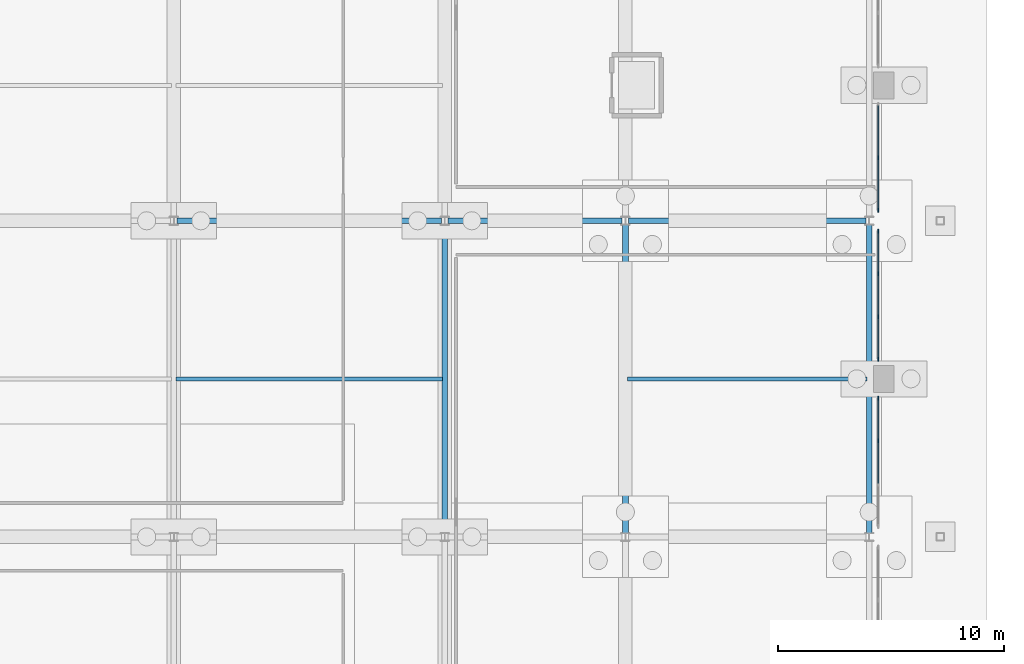
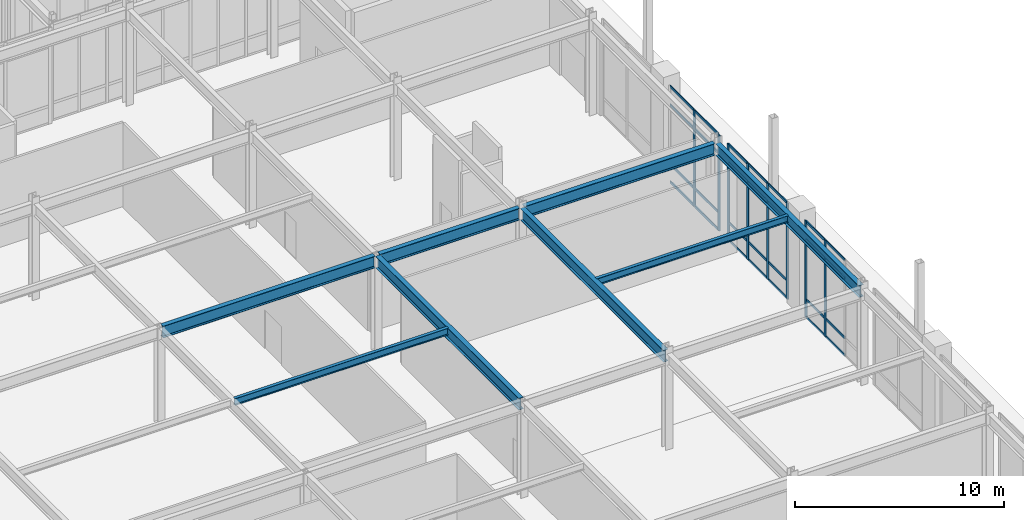
# One storey, part 66 of 143: 36 members, 8 beams, 3 elements without a shape of their own.
"""IFC4 building model written with IfcOpenShell, lengths in metres."""

from ifc_helpers import new_model, si_unit, derived_unit, direction, frame, origin, origin_2d, place, context, subcontext, project, spatial, rectangle, i_section, extrude, material, layer, layer_set, material_profile, profile_set, type_object, element, aggregate, save


model = new_model("IFC4")

# Units and contexts
model_context = context("Model", 3, precision=1e-05, world=origin(), true_north=direction((0.0, 1.0)))
body_context = subcontext(model_context, "Body", "Model", "MODEL_VIEW")
ifc_project = project(units=[si_unit("LENGTHUNIT", "METRE"), si_unit("AREAUNIT", "SQUARE_METRE"), si_unit("VOLUMEUNIT", "CUBIC_METRE"), si_unit("PLANEANGLEUNIT", "RADIAN"), si_unit("MASSUNIT", "GRAM", prefix="KILO"), derived_unit("THERMALTRANSMITTANCEUNIT", [(si_unit("MASSUNIT", "GRAM", prefix="KILO"), 1), (si_unit("TIMEUNIT", "SECOND"), -3), (si_unit("THERMODYNAMICTEMPERATUREUNIT", "KELVIN"), -1)])], contexts=[model_context])

# Site, building, storey
site_placement = place(None, origin())
site = spatial("IfcSite", under=ifc_project, at=site_placement, CompositionType="ELEMENT")
building_placement = place(site_placement, origin())
building = spatial("IfcBuilding", under=site, at=building_placement, Name="Valcora Ridge Arena", CompositionType="ELEMENT")
storey_placement = place(building_placement, origin())
storey = spatial("IfcBuildingStorey", under=building, at=storey_placement, Name="L00", CompositionType="ELEMENT", Elevation=0.0)

# Beams
ifc_material_1 = material(Name="Steel ASTM A572 Grade 50", Category="steel")
ifc_material_profile_1 = material_profile(ifc_material_1, i_section(OverallWidth=0.256103515625, OverallDepth=0.693115234375, WebThickness=0.014404296875, FlangeThickness=0.023681640625, FilletRadius=0.02001953125, at=origin_2d()), Name="W27X114")
ifc_profile_set_1 = profile_set([ifc_material_profile_1], Name="Steel ASTM A572 Grade 50")
beam_type_1 = type_object("IfcBeamType", Name="TY-BEAM-G-W27X114-X", PredefinedType="BEAM", material=ifc_profile_set_1)
beam_1_placement = place(storey_placement, frame((156.139892578125, 54.0, 5.2734375), z_axis=(1.0, 0.0, 0.0), x_axis=(0.0, 1.0, 0.0)))
element("IfcBeam", 1, at=beam_1_placement, inside=storey, type_object=beam_type_1, Name="G-W27X114-X BEM-G-W27X114-X-0016", PredefinedType="BEAM", context=body_context, shape_type="SweptSolid", body=[
    extrude(i_section(OverallWidth=0.256103515625, OverallDepth=0.693115234375, WebThickness=0.014404296875, FlangeThickness=0.023681640625, FilletRadius=0.02001953125, at=origin_2d()), origin(), (0.0, 0.0, 1.0), 11.72021484375),
])
beam_2_placement = place(storey_placement, frame((168.139892578125, 54.0, 5.2734375), z_axis=(1.0, 0.0, 0.0), x_axis=(0.0, 1.0, 0.0)))
element("IfcBeam", 2, at=beam_2_placement, inside=storey, type_object=beam_type_1, Name="G-W27X114-X BEM-G-W27X114-X-0017", PredefinedType="BEAM", context=body_context, shape_type="SweptSolid", body=[
    extrude(i_section(OverallWidth=0.256103515625, OverallDepth=0.693115234375, WebThickness=0.014404296875, FlangeThickness=0.023681640625, FilletRadius=0.02001953125, at=origin_2d()), origin(), (0.0, 0.0, 1.0), 7.72021484375),
])
beam_3_placement = place(storey_placement, frame((176.139892578125, 54.0, 5.2734375), z_axis=(1.0, 0.0, 0.0), x_axis=(0.0, 1.0, 0.0)))
element("IfcBeam", 3, at=beam_3_placement, inside=storey, type_object=beam_type_1, Name="G-W27X114-X BEM-G-W27X114-X-0018", PredefinedType="BEAM", context=body_context, shape_type="SweptSolid", body=[
    extrude(i_section(OverallWidth=0.256103515625, OverallDepth=0.693115234375, WebThickness=0.014404296875, FlangeThickness=0.023681640625, FilletRadius=0.02001953125, at=origin_2d()), origin(), (0.0, 0.0, 1.0), 10.52001953125),
])
ifc_material_profile_2 = material_profile(ifc_material_1, i_section(OverallWidth=0.256103515625, OverallDepth=0.693115234375, WebThickness=0.014404296875, FlangeThickness=0.023681640625, FilletRadius=0.02001953125, at=origin_2d()), Name="W27X114")
ifc_profile_set_2 = profile_set([ifc_material_profile_2], Name="Steel ASTM A572 Grade 50")
beam_type_2 = type_object("IfcBeamType", Name="TY-BEAM-G-W27X114-Y", PredefinedType="BEAM", material=ifc_profile_set_2)
for number, where, z_axis, x_axis, name in (
    (4, (168.0, 40.139892578125, 5.2734375), (0.0, 1.0, 0.0), (-1.0, 0.0, 0.0), "G-W27X114-Y BEM-G-W27X114-Y-0021"),
    (5, (176.0, 40.139892578125, 5.2734375), (0.0, 1.0, 0.0), (-1.0, 0.0, 0.0), "G-W27X114-Y BEM-G-W27X114-Y-0025"),
    (6, (186.800048828125, 40.139892578125, 5.2734375), (0.0, 1.0, 0.0), (-1.0, 0.0, 0.0), "G-W27X114-Y BEM-G-W27X114-Y-0031"),
):
    element("IfcBeam", number, at=place(storey_placement, frame(where, z_axis=z_axis, x_axis=x_axis)), inside=storey, type_object=beam_type_2, Name=name, PredefinedType="BEAM", context=body_context, shape_type="SweptSolid", body=[
        extrude(i_section(OverallWidth=0.256103515625, OverallDepth=0.693115234375, WebThickness=0.014404296875, FlangeThickness=0.023681640625, FilletRadius=0.02001953125, at=origin_2d()), origin(), (0.0, 0.0, 1.0), 13.72021484375),
    ])
ifc_material_profile_3 = material_profile(ifc_material_1, i_section(OverallWidth=0.177978515625, OverallDepth=0.406005859375, WebThickness=0.0078125, FlangeThickness=0.0126953125, FilletRadius=0.013916015625, at=origin_2d()), Name="W16X40")
ifc_profile_set_3 = profile_set([ifc_material_profile_3], Name="Steel ASTM A572 Grade 50")
beam_type_3 = type_object("IfcBeamType", Name="TY-BEAM-J-W16X40", PredefinedType="JOIST", material=ifc_profile_set_3)
beam_4_placement = place(storey_placement, frame((156.10009765625, 47.0, 5.4169921875), z_axis=(1.0, 0.0, 0.0), x_axis=(0.0, 1.0, 0.0)))
element("IfcBeam", 7, at=beam_4_placement, inside=storey, type_object=beam_type_3, Name="J-W16X40 BEM-J-W16X40-0009", PredefinedType="JOIST", context=body_context, shape_type="SweptSolid", body=[
    extrude(i_section(OverallWidth=0.177978515625, OverallDepth=0.406005859375, WebThickness=0.0078125, FlangeThickness=0.0126953125, FilletRadius=0.013916015625, at=origin_2d()), origin(), (0.0, 0.0, 1.0), 11.7998046875),
])
beam_5_placement = place(storey_placement, frame((176.10009765625, 47.0, 5.4169921875), z_axis=(1.0, 0.0, 0.0), x_axis=(0.0, 1.0, 0.0)))
element("IfcBeam", 8, at=beam_5_placement, inside=storey, type_object=beam_type_3, Name="J-W16X40 BEM-J-W16X40-0012", PredefinedType="JOIST", context=body_context, shape_type="SweptSolid", body=[
    extrude(i_section(OverallWidth=0.177978515625, OverallDepth=0.406005859375, WebThickness=0.0078125, FlangeThickness=0.0126953125, FilletRadius=0.013916015625, at=origin_2d()), origin(), (0.0, 0.0, 1.0), 10.599853515625),
])

# Curtain wall, members
ifc_material_2 = material(Name="Anodised dark bronze architectural aluminium 6063-T6", Category="aluminium")
ifc_layer_1 = layer(ifc_material_2, 0.179931640625, Name="Anodised dark bronze architectural aluminium 6063-T6")
ifc_layer_set_1 = layer_set([ifc_layer_1], Name="Anodised dark bronze architectural aluminium 6063-T6")
curtain_wall_type_1 = type_object("IfcCurtainWallType", Name="TY-CURTAINWALL-CW-V2-GLAZ-057X56", PredefinedType="NOTDEFINED", material=ifc_layer_set_1)
curtain_wall_1_placement = place(storey_placement, origin())
curtain_wall_1 = element("IfcCurtainWall", 9, at=curtain_wall_1_placement, inside=storey, type_object=curtain_wall_type_1, Name="CW-V2-GLAZ-057X56 CW-0032", PredefinedType="NOTDEFINED")
ifc_material_profile_4 = material_profile(ifc_material_2, rectangle(XDim=0.06005859375, YDim=0.179931640625, at=origin_2d()), Name="ALU MULLION 60x180")
ifc_profile_set_4 = profile_set([ifc_material_profile_4], Name="Anodised dark bronze architectural aluminium 6063-T6")
member_type_1 = type_object("IfcMemberType", Name="TY-MEM-CWM-60x180", PredefinedType="MULLION", material=ifc_profile_set_4)
member_1_placement = place(storey_placement, frame((187.199951171875, 44.2509765625, 0.0), z_axis=(0.0, 0.0, 1.0), x_axis=(-1.0, 0.0, 0.0)))
member_1 = element("IfcMember", 10, at=member_1_placement, type_object=member_type_1, Name="CW-0032/CWM-60x180/M02", PredefinedType="MULLION", context=body_context, shape_type="SweptSolid", body=[
    extrude(rectangle(XDim=0.06005859375, YDim=0.179931640625, at=origin_2d()), origin(), (0.0, 0.0, 1.0), 5.6201171875),
])
member_2_placement = place(storey_placement, frame((187.199951171875, 46.1298828125, 0.0), z_axis=(0.0, 0.0, 1.0), x_axis=(-1.0, 0.0, 0.0)))
member_2 = element("IfcMember", 11, at=member_2_placement, type_object=member_type_1, Name="CW-0032/CWM-60x180/M03", PredefinedType="MULLION", context=body_context, shape_type="SweptSolid", body=[
    extrude(rectangle(XDim=0.06005859375, YDim=0.179931640625, at=origin_2d()), origin(), (0.0, 0.0, 1.0), 5.6201171875),
])

curtain_wall_2_placement = place(storey_placement, origin())
curtain_wall_2 = element("IfcCurtainWall", 12, at=curtain_wall_2_placement, inside=storey, type_object=curtain_wall_type_1, Name="CW-V2-GLAZ-057X56 CW-0033", PredefinedType="NOTDEFINED")
member_3_placement = place(storey_placement, frame((187.199951171875, 47.8701171875, 0.0), z_axis=(0.0, 0.0, 1.0), x_axis=(-1.0, 0.0, 0.0)))
member_3 = element("IfcMember", 13, at=member_3_placement, type_object=member_type_1, Name="CW-0033/CWM-60x180/M00", PredefinedType="MULLION", context=body_context, shape_type="SweptSolid", body=[
    extrude(rectangle(XDim=0.06005859375, YDim=0.179931640625, at=origin_2d()), origin(), (0.0, 0.0, 1.0), 5.6201171875),
])
member_4_placement = place(storey_placement, frame((187.199951171875, 49.7490234375, 0.0), z_axis=(0.0, 0.0, 1.0), x_axis=(-1.0, 0.0, 0.0)))
member_4 = element("IfcMember", 14, at=member_4_placement, type_object=member_type_1, Name="CW-0033/CWM-60x180/M01", PredefinedType="MULLION", context=body_context, shape_type="SweptSolid", body=[
    extrude(rectangle(XDim=0.06005859375, YDim=0.179931640625, at=origin_2d()), origin(), (0.0, 0.0, 1.0), 5.6201171875),
])
member_5_placement = place(storey_placement, frame((187.199951171875, 51.657958984375, 0.0), z_axis=(0.0, 0.0, 1.0), x_axis=(-1.0, 0.0, 0.0)))
member_5 = element("IfcMember", 15, at=member_5_placement, type_object=member_type_1, Name="CW-0033/CWM-60x180/M02", PredefinedType="MULLION", context=body_context, shape_type="SweptSolid", body=[
    extrude(rectangle(XDim=0.06005859375, YDim=0.179931640625, at=origin_2d()), origin(), (0.0, 0.0, 1.0), 5.6201171875),
])
member_6_placement = place(storey_placement, frame((187.199951171875, 53.537109375, 0.0), z_axis=(0.0, 0.0, 1.0), x_axis=(-1.0, 0.0, 0.0)))
member_6 = element("IfcMember", 16, at=member_6_placement, type_object=member_type_1, Name="CW-0033/CWM-60x180/M03", PredefinedType="MULLION", context=body_context, shape_type="SweptSolid", body=[
    extrude(rectangle(XDim=0.06005859375, YDim=0.179931640625, at=origin_2d()), origin(), (0.0, 0.0, 1.0), 5.6201171875),
])

ifc_layer_2 = layer(ifc_material_2, 0.179931640625, Name="Anodised dark bronze architectural aluminium 6063-T6")
ifc_layer_set_2 = layer_set([ifc_layer_2], Name="Anodised dark bronze architectural aluminium 6063-T6")
curtain_wall_type_2 = type_object("IfcCurtainWallType", Name="TY-CURTAINWALL-CW-V2-GLAZ-047X56", PredefinedType="NOTDEFINED", material=ifc_layer_set_2)
curtain_wall_3_placement = place(storey_placement, origin())
curtain_wall_3 = element("IfcCurtainWall", 17, at=curtain_wall_3_placement, inside=storey, type_object=curtain_wall_type_2, Name="CW-V2-GLAZ-047X56 CW-0034", PredefinedType="NOTDEFINED")
member_7_placement = place(storey_placement, frame((187.199951171875, 54.462890625, 0.0), z_axis=(0.0, 0.0, 1.0), x_axis=(-1.0, 0.0, 0.0)))
member_7 = element("IfcMember", 18, at=member_7_placement, type_object=member_type_1, Name="CW-0034/CWM-60x180/M00", PredefinedType="MULLION", context=body_context, shape_type="SweptSolid", body=[
    extrude(rectangle(XDim=0.06005859375, YDim=0.179931640625, at=origin_2d()), origin(), (0.0, 0.0, 1.0), 5.6201171875),
])
member_8_placement = place(storey_placement, frame((187.199951171875, 56.79638671875, 0.0), z_axis=(0.0, 0.0, 1.0), x_axis=(-1.0, 0.0, 0.0)))
member_8 = element("IfcMember", 19, at=member_8_placement, type_object=member_type_1, Name="CW-0034/CWM-60x180/M01", PredefinedType="MULLION", context=body_context, shape_type="SweptSolid", body=[
    extrude(rectangle(XDim=0.06005859375, YDim=0.179931640625, at=origin_2d()), origin(), (0.0, 0.0, 1.0), 5.6201171875),
])

# Member
ifc_material_profile_5 = material_profile(ifc_material_2, rectangle(XDim=0.050048828125, YDim=0.14990234375, at=origin_2d()), Name="ALU TRANSOM 50x150")
ifc_profile_set_5 = profile_set([ifc_material_profile_5], Name="Anodised dark bronze architectural aluminium 6063-T6")
member_type_2 = type_object("IfcMemberType", Name="TY-MEM-CWT-50x150", PredefinedType="USERDEFINED", material=ifc_profile_set_5)
member_9_placement = place(storey_placement, frame((187.199951171875, 42.3720703125, 0.02490234375), z_axis=(0.0, 1.0, 0.0), x_axis=(-1.0, 0.0, 0.0)))
member_9 = element("IfcMember", 20, at=member_9_placement, type_object=member_type_2, Name="CW-0032/CWT-50x150/T01-00", ObjectType="TRANSOM", PredefinedType="USERDEFINED", context=body_context, shape_type="SweptSolid", body=[
    extrude(rectangle(XDim=0.050048828125, YDim=0.14990234375, at=origin_2d()), origin(), (0.0, 0.0, 1.0), 1.848876953125),
])

member_10_placement = place(storey_placement, frame((187.199951171875, 42.3720703125, 1.050048828125), z_axis=(0.0, 1.0, 0.0), x_axis=(-1.0, 0.0, 0.0)))
member_10 = element("IfcMember", 21, at=member_10_placement, type_object=member_type_2, Name="CW-0032/CWT-50x150/T01-01", ObjectType="TRANSOM", PredefinedType="USERDEFINED", context=body_context, shape_type="SweptSolid", body=[
    extrude(rectangle(XDim=0.050048828125, YDim=0.14990234375, at=origin_2d()), origin(), (0.0, 0.0, 1.0), 1.848876953125),
])

member_11_placement = place(storey_placement, frame((187.199951171875, 42.3720703125, 4.52001953125), z_axis=(0.0, 1.0, 0.0), x_axis=(-1.0, 0.0, 0.0)))
member_11 = element("IfcMember", 22, at=member_11_placement, type_object=member_type_2, Name="CW-0032/CWT-50x150/T01-02", ObjectType="TRANSOM", PredefinedType="USERDEFINED", context=body_context, shape_type="SweptSolid", body=[
    extrude(rectangle(XDim=0.050048828125, YDim=0.14990234375, at=origin_2d()), origin(), (0.0, 0.0, 1.0), 1.848876953125),
])

member_12_placement = place(storey_placement, frame((187.199951171875, 42.3720703125, 5.594970703125), z_axis=(0.0, 1.0, 0.0), x_axis=(-1.0, 0.0, 0.0)))
member_12 = element("IfcMember", 23, at=member_12_placement, type_object=member_type_2, Name="CW-0032/CWT-50x150/T01-03", ObjectType="TRANSOM", PredefinedType="USERDEFINED", context=body_context, shape_type="SweptSolid", body=[
    extrude(rectangle(XDim=0.050048828125, YDim=0.14990234375, at=origin_2d()), origin(), (0.0, 0.0, 1.0), 1.848876953125),
])

member_13_placement = place(storey_placement, frame((187.199951171875, 44.281005859375, 0.02490234375), z_axis=(0.0, 1.0, 0.0), x_axis=(-1.0, 0.0, 0.0)))
member_13 = element("IfcMember", 24, at=member_13_placement, type_object=member_type_2, Name="CW-0032/CWT-50x150/T02-00", ObjectType="TRANSOM", PredefinedType="USERDEFINED", context=body_context, shape_type="SweptSolid", body=[
    extrude(rectangle(XDim=0.050048828125, YDim=0.14990234375, at=origin_2d()), origin(), (0.0, 0.0, 1.0), 1.819091796875),
])

member_14_placement = place(storey_placement, frame((187.199951171875, 44.281005859375, 1.050048828125), z_axis=(0.0, 1.0, 0.0), x_axis=(-1.0, 0.0, 0.0)))
member_14 = element("IfcMember", 25, at=member_14_placement, type_object=member_type_2, Name="CW-0032/CWT-50x150/T02-01", ObjectType="TRANSOM", PredefinedType="USERDEFINED", context=body_context, shape_type="SweptSolid", body=[
    extrude(rectangle(XDim=0.050048828125, YDim=0.14990234375, at=origin_2d()), origin(), (0.0, 0.0, 1.0), 1.819091796875),
])

member_15_placement = place(storey_placement, frame((187.199951171875, 44.281005859375, 4.52001953125), z_axis=(0.0, 1.0, 0.0), x_axis=(-1.0, 0.0, 0.0)))
member_15 = element("IfcMember", 26, at=member_15_placement, type_object=member_type_2, Name="CW-0032/CWT-50x150/T02-02", ObjectType="TRANSOM", PredefinedType="USERDEFINED", context=body_context, shape_type="SweptSolid", body=[
    extrude(rectangle(XDim=0.050048828125, YDim=0.14990234375, at=origin_2d()), origin(), (0.0, 0.0, 1.0), 1.819091796875),
])

member_16_placement = place(storey_placement, frame((187.199951171875, 44.281005859375, 5.594970703125), z_axis=(0.0, 1.0, 0.0), x_axis=(-1.0, 0.0, 0.0)))
member_16 = element("IfcMember", 27, at=member_16_placement, type_object=member_type_2, Name="CW-0032/CWT-50x150/T02-03", ObjectType="TRANSOM", PredefinedType="USERDEFINED", context=body_context, shape_type="SweptSolid", body=[
    extrude(rectangle(XDim=0.050048828125, YDim=0.14990234375, at=origin_2d()), origin(), (0.0, 0.0, 1.0), 1.819091796875),
])

aggregate(curtain_wall_1, [member_1, member_2, member_9, member_10, member_11, member_12, member_13, member_14, member_15, member_16])

member_17_placement = place(storey_placement, frame((187.199951171875, 47.89990234375, 0.02490234375), z_axis=(0.0, 1.0, 0.0), x_axis=(-1.0, 0.0, 0.0)))
member_17 = element("IfcMember", 28, at=member_17_placement, type_object=member_type_2, Name="CW-0033/CWT-50x150/T00-00", ObjectType="TRANSOM", PredefinedType="USERDEFINED", context=body_context, shape_type="SweptSolid", body=[
    extrude(rectangle(XDim=0.050048828125, YDim=0.14990234375, at=origin_2d()), origin(), (0.0, 0.0, 1.0), 1.819091796875),
])

member_18_placement = place(storey_placement, frame((187.199951171875, 47.89990234375, 1.050048828125), z_axis=(0.0, 1.0, 0.0), x_axis=(-1.0, 0.0, 0.0)))
member_18 = element("IfcMember", 29, at=member_18_placement, type_object=member_type_2, Name="CW-0033/CWT-50x150/T00-01", ObjectType="TRANSOM", PredefinedType="USERDEFINED", context=body_context, shape_type="SweptSolid", body=[
    extrude(rectangle(XDim=0.050048828125, YDim=0.14990234375, at=origin_2d()), origin(), (0.0, 0.0, 1.0), 1.819091796875),
])

member_19_placement = place(storey_placement, frame((187.199951171875, 47.89990234375, 4.52001953125), z_axis=(0.0, 1.0, 0.0), x_axis=(-1.0, 0.0, 0.0)))
member_19 = element("IfcMember", 30, at=member_19_placement, type_object=member_type_2, Name="CW-0033/CWT-50x150/T00-02", ObjectType="TRANSOM", PredefinedType="USERDEFINED", context=body_context, shape_type="SweptSolid", body=[
    extrude(rectangle(XDim=0.050048828125, YDim=0.14990234375, at=origin_2d()), origin(), (0.0, 0.0, 1.0), 1.819091796875),
])

member_20_placement = place(storey_placement, frame((187.199951171875, 47.89990234375, 5.594970703125), z_axis=(0.0, 1.0, 0.0), x_axis=(-1.0, 0.0, 0.0)))
member_20 = element("IfcMember", 31, at=member_20_placement, type_object=member_type_2, Name="CW-0033/CWT-50x150/T00-03", ObjectType="TRANSOM", PredefinedType="USERDEFINED", context=body_context, shape_type="SweptSolid", body=[
    extrude(rectangle(XDim=0.050048828125, YDim=0.14990234375, at=origin_2d()), origin(), (0.0, 0.0, 1.0), 1.819091796875),
])

member_21_placement = place(storey_placement, frame((187.199951171875, 49.779052734375, 0.02490234375), z_axis=(0.0, 1.0, 0.0), x_axis=(-1.0, 0.0, 0.0)))
member_21 = element("IfcMember", 32, at=member_21_placement, type_object=member_type_2, Name="CW-0033/CWT-50x150/T01-00", ObjectType="TRANSOM", PredefinedType="USERDEFINED", context=body_context, shape_type="SweptSolid", body=[
    extrude(rectangle(XDim=0.050048828125, YDim=0.14990234375, at=origin_2d()), origin(), (0.0, 0.0, 1.0), 1.848876953125),
])

member_22_placement = place(storey_placement, frame((187.199951171875, 49.779052734375, 1.050048828125), z_axis=(0.0, 1.0, 0.0), x_axis=(-1.0, 0.0, 0.0)))
member_22 = element("IfcMember", 33, at=member_22_placement, type_object=member_type_2, Name="CW-0033/CWT-50x150/T01-01", ObjectType="TRANSOM", PredefinedType="USERDEFINED", context=body_context, shape_type="SweptSolid", body=[
    extrude(rectangle(XDim=0.050048828125, YDim=0.14990234375, at=origin_2d()), origin(), (0.0, 0.0, 1.0), 1.848876953125),
])

member_23_placement = place(storey_placement, frame((187.199951171875, 49.779052734375, 4.52001953125), z_axis=(0.0, 1.0, 0.0), x_axis=(-1.0, 0.0, 0.0)))
member_23 = element("IfcMember", 34, at=member_23_placement, type_object=member_type_2, Name="CW-0033/CWT-50x150/T01-02", ObjectType="TRANSOM", PredefinedType="USERDEFINED", context=body_context, shape_type="SweptSolid", body=[
    extrude(rectangle(XDim=0.050048828125, YDim=0.14990234375, at=origin_2d()), origin(), (0.0, 0.0, 1.0), 1.848876953125),
])

member_24_placement = place(storey_placement, frame((187.199951171875, 49.779052734375, 5.594970703125), z_axis=(0.0, 1.0, 0.0), x_axis=(-1.0, 0.0, 0.0)))
member_24 = element("IfcMember", 35, at=member_24_placement, type_object=member_type_2, Name="CW-0033/CWT-50x150/T01-03", ObjectType="TRANSOM", PredefinedType="USERDEFINED", context=body_context, shape_type="SweptSolid", body=[
    extrude(rectangle(XDim=0.050048828125, YDim=0.14990234375, at=origin_2d()), origin(), (0.0, 0.0, 1.0), 1.848876953125),
])

member_25_placement = place(storey_placement, frame((187.199951171875, 51.68798828125, 0.02490234375), z_axis=(0.0, 1.0, 0.0), x_axis=(-1.0, 0.0, 0.0)))
member_25 = element("IfcMember", 36, at=member_25_placement, type_object=member_type_2, Name="CW-0033/CWT-50x150/T02-00", ObjectType="TRANSOM", PredefinedType="USERDEFINED", context=body_context, shape_type="SweptSolid", body=[
    extrude(rectangle(XDim=0.050048828125, YDim=0.14990234375, at=origin_2d()), origin(), (0.0, 0.0, 1.0), 1.819091796875),
])

member_26_placement = place(storey_placement, frame((187.199951171875, 51.68798828125, 1.050048828125), z_axis=(0.0, 1.0, 0.0), x_axis=(-1.0, 0.0, 0.0)))
member_26 = element("IfcMember", 37, at=member_26_placement, type_object=member_type_2, Name="CW-0033/CWT-50x150/T02-01", ObjectType="TRANSOM", PredefinedType="USERDEFINED", context=body_context, shape_type="SweptSolid", body=[
    extrude(rectangle(XDim=0.050048828125, YDim=0.14990234375, at=origin_2d()), origin(), (0.0, 0.0, 1.0), 1.819091796875),
])

member_27_placement = place(storey_placement, frame((187.199951171875, 51.68798828125, 4.52001953125), z_axis=(0.0, 1.0, 0.0), x_axis=(-1.0, 0.0, 0.0)))
member_27 = element("IfcMember", 38, at=member_27_placement, type_object=member_type_2, Name="CW-0033/CWT-50x150/T02-02", ObjectType="TRANSOM", PredefinedType="USERDEFINED", context=body_context, shape_type="SweptSolid", body=[
    extrude(rectangle(XDim=0.050048828125, YDim=0.14990234375, at=origin_2d()), origin(), (0.0, 0.0, 1.0), 1.819091796875),
])

member_28_placement = place(storey_placement, frame((187.199951171875, 51.68798828125, 5.594970703125), z_axis=(0.0, 1.0, 0.0), x_axis=(-1.0, 0.0, 0.0)))
member_28 = element("IfcMember", 39, at=member_28_placement, type_object=member_type_2, Name="CW-0033/CWT-50x150/T02-03", ObjectType="TRANSOM", PredefinedType="USERDEFINED", context=body_context, shape_type="SweptSolid", body=[
    extrude(rectangle(XDim=0.050048828125, YDim=0.14990234375, at=origin_2d()), origin(), (0.0, 0.0, 1.0), 1.819091796875),
])

aggregate(curtain_wall_2, [member_3, member_4, member_5, member_6, member_17, member_18, member_19, member_20, member_21, member_22, member_23, member_24, member_25, member_26, member_27, member_28])

member_29_placement = place(storey_placement, frame((187.199951171875, 54.492919921875, 0.02490234375), z_axis=(0.0, 1.0, 0.0), x_axis=(-1.0, 0.0, 0.0)))
member_29 = element("IfcMember", 40, at=member_29_placement, type_object=member_type_2, Name="CW-0034/CWT-50x150/T00-00", ObjectType="TRANSOM", PredefinedType="USERDEFINED", context=body_context, shape_type="SweptSolid", body=[
    extrude(rectangle(XDim=0.050048828125, YDim=0.14990234375, at=origin_2d()), origin(), (0.0, 0.0, 1.0), 2.274169921875),
])

member_30_placement = place(storey_placement, frame((187.199951171875, 54.492919921875, 1.050048828125), z_axis=(0.0, 1.0, 0.0), x_axis=(-1.0, 0.0, 0.0)))
member_30 = element("IfcMember", 41, at=member_30_placement, type_object=member_type_2, Name="CW-0034/CWT-50x150/T00-01", ObjectType="TRANSOM", PredefinedType="USERDEFINED", context=body_context, shape_type="SweptSolid", body=[
    extrude(rectangle(XDim=0.050048828125, YDim=0.14990234375, at=origin_2d()), origin(), (0.0, 0.0, 1.0), 2.274169921875),
])

member_31_placement = place(storey_placement, frame((187.199951171875, 54.492919921875, 4.52001953125), z_axis=(0.0, 1.0, 0.0), x_axis=(-1.0, 0.0, 0.0)))
member_31 = element("IfcMember", 42, at=member_31_placement, type_object=member_type_2, Name="CW-0034/CWT-50x150/T00-02", ObjectType="TRANSOM", PredefinedType="USERDEFINED", context=body_context, shape_type="SweptSolid", body=[
    extrude(rectangle(XDim=0.050048828125, YDim=0.14990234375, at=origin_2d()), origin(), (0.0, 0.0, 1.0), 2.274169921875),
])

member_32_placement = place(storey_placement, frame((187.199951171875, 54.492919921875, 5.594970703125), z_axis=(0.0, 1.0, 0.0), x_axis=(-1.0, 0.0, 0.0)))
member_32 = element("IfcMember", 43, at=member_32_placement, type_object=member_type_2, Name="CW-0034/CWT-50x150/T00-03", ObjectType="TRANSOM", PredefinedType="USERDEFINED", context=body_context, shape_type="SweptSolid", body=[
    extrude(rectangle(XDim=0.050048828125, YDim=0.14990234375, at=origin_2d()), origin(), (0.0, 0.0, 1.0), 2.274169921875),
])

member_33_placement = place(storey_placement, frame((187.199951171875, 56.825927734375, 0.02490234375), z_axis=(0.0, 1.0, 0.0), x_axis=(-1.0, 0.0, 0.0)))
member_33 = element("IfcMember", 44, at=member_33_placement, type_object=member_type_2, Name="CW-0034/CWT-50x150/T01-00", ObjectType="TRANSOM", PredefinedType="USERDEFINED", context=body_context, shape_type="SweptSolid", body=[
    extrude(rectangle(XDim=0.050048828125, YDim=0.14990234375, at=origin_2d()), origin(), (0.0, 0.0, 1.0), 2.274169921875),
])

member_34_placement = place(storey_placement, frame((187.199951171875, 56.825927734375, 1.050048828125), z_axis=(0.0, 1.0, 0.0), x_axis=(-1.0, 0.0, 0.0)))
member_34 = element("IfcMember", 45, at=member_34_placement, type_object=member_type_2, Name="CW-0034/CWT-50x150/T01-01", ObjectType="TRANSOM", PredefinedType="USERDEFINED", context=body_context, shape_type="SweptSolid", body=[
    extrude(rectangle(XDim=0.050048828125, YDim=0.14990234375, at=origin_2d()), origin(), (0.0, 0.0, 1.0), 2.274169921875),
])

member_35_placement = place(storey_placement, frame((187.199951171875, 56.825927734375, 4.52001953125), z_axis=(0.0, 1.0, 0.0), x_axis=(-1.0, 0.0, 0.0)))
member_35 = element("IfcMember", 46, at=member_35_placement, type_object=member_type_2, Name="CW-0034/CWT-50x150/T01-02", ObjectType="TRANSOM", PredefinedType="USERDEFINED", context=body_context, shape_type="SweptSolid", body=[
    extrude(rectangle(XDim=0.050048828125, YDim=0.14990234375, at=origin_2d()), origin(), (0.0, 0.0, 1.0), 2.274169921875),
])

member_36_placement = place(storey_placement, frame((187.199951171875, 56.825927734375, 5.594970703125), z_axis=(0.0, 1.0, 0.0), x_axis=(-1.0, 0.0, 0.0)))
member_36 = element("IfcMember", 47, at=member_36_placement, type_object=member_type_2, Name="CW-0034/CWT-50x150/T01-03", ObjectType="TRANSOM", PredefinedType="USERDEFINED", context=body_context, shape_type="SweptSolid", body=[
    extrude(rectangle(XDim=0.050048828125, YDim=0.14990234375, at=origin_2d()), origin(), (0.0, 0.0, 1.0), 2.274169921875),
])

aggregate(curtain_wall_3, [member_7, member_8, member_29, member_30, member_31, member_32, member_33, member_34, member_35, member_36])

save(model, "model.ifc")
